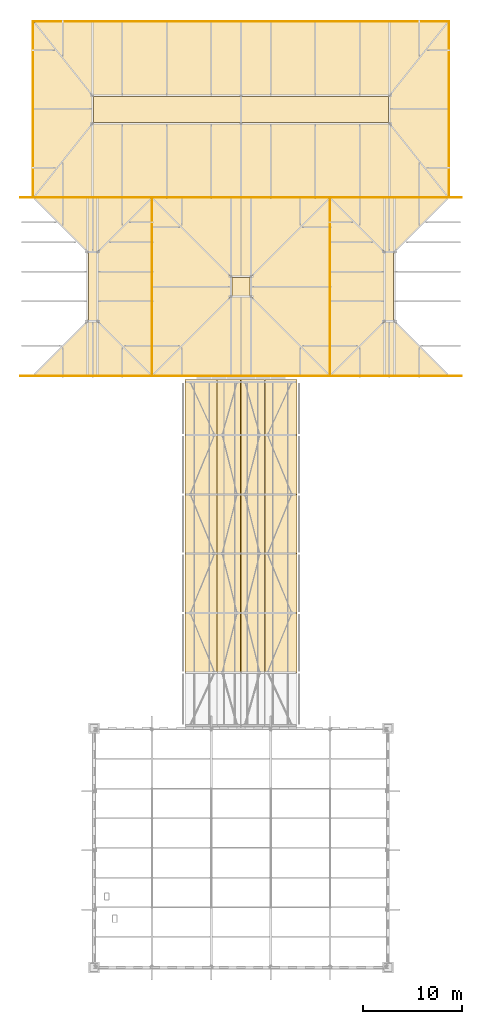
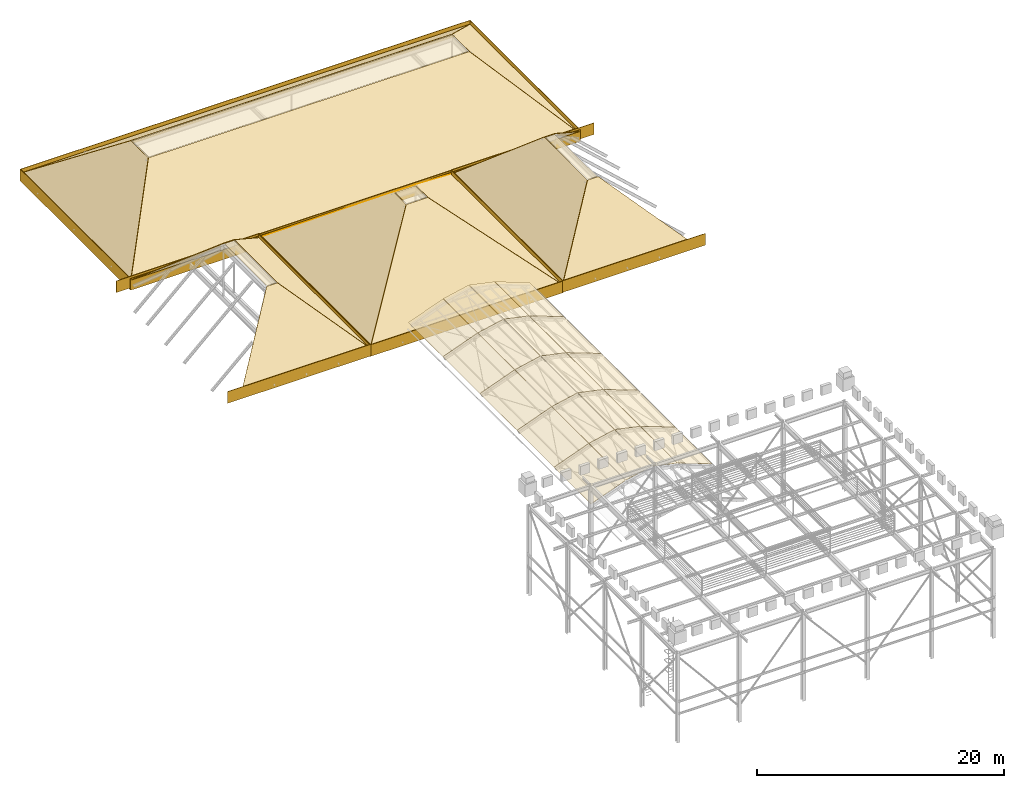
# One storey, part 57 of 57: 52 coverings.
"""IFC4 building model written with IfcOpenShell, lengths in metres."""

from ifc_helpers import new_model, si_unit, direction, frame, origin, place, context, subcontext, project, spatial, polyline, outline, extrude, material, layer, layer_set, type_object, element, save


model = new_model("IFC4")

# Units and contexts
model_context = context("Model", 3, precision=1e-05, world=origin(), true_north=direction((0.0, 1.0)))
body_context = subcontext(model_context, "Body", "Model", "MODEL_VIEW")
ifc_project = project(units=[si_unit("LENGTHUNIT", "METRE"), si_unit("AREAUNIT", "SQUARE_METRE"), si_unit("VOLUMEUNIT", "CUBIC_METRE"), si_unit("PLANEANGLEUNIT", "RADIAN"), si_unit("MASSUNIT", "GRAM", prefix="KILO")], contexts=[model_context])

# Site, building, storey
site_placement = place(None, origin())
site = spatial("IfcSite", under=ifc_project, at=site_placement, CompositionType="ELEMENT")
building_placement = place(site_placement, origin())
building = spatial("IfcBuilding", under=site, at=building_placement, Name="Saffron Lane Theatres", CompositionType="ELEMENT")
storey_placement = place(building_placement, frame((0.0, 0.0, 28.0)))
storey = spatial("IfcBuildingStorey", under=building, at=storey_placement, Name="Upper Roof", CompositionType="ELEMENT", Elevation=28.0)

# Coverings
ifc_material_1 = material(Name="Zinc standing seam roofing", Category="metal")
ifc_layer_1 = layer(ifc_material_1, 0.0400390625)
ifc_layer_set_1 = layer_set([ifc_layer_1], Name="Zinc standing seam roofing")
covering_type_1 = type_object("IfcCoveringType", Name="ST-EAVES FASCIA", PredefinedType="CLADDING", material=ifc_layer_set_1)
covering_1_placement = place(storey_placement, frame((0.0, 0.0, -0.110595703125)))
element("IfcCovering", 1, at=covering_1_placement, inside=storey, type_object=covering_type_1, Name="BK1-F1", PredefinedType="CLADDING", context=body_context, shape_type="SweptSolid", body=[
    extrude(outline(polyline([(10.659912109375, 89.9599609375), (24.0400390625, 89.9599609375), (24.0400390625, 90.0), (10.659912109375, 90.0), (10.659912109375, 89.9599609375)])), origin(), (0.0, 0.0, 1.0), 1.14990234375),
])
covering_2_placement = place(storey_placement, frame((0.0, 0.0, -0.110595703125)))
element("IfcCovering", 2, at=covering_2_placement, inside=storey, type_object=covering_type_1, Name="BK1-F2", PredefinedType="CLADDING", context=body_context, shape_type="SweptSolid", body=[
    extrude(outline(polyline([(10.659912109375, 108.0), (24.0400390625, 108.0), (24.0400390625, 108.0400390625), (10.659912109375, 108.0400390625), (10.659912109375, 108.0)])), origin(), (0.0, 0.0, 1.0), 1.14990234375),
])
covering_3_placement = place(storey_placement, frame((0.0, 0.0, -0.110595703125)))
element("IfcCovering", 3, at=covering_3_placement, inside=storey, type_object=covering_type_1, Name="BK1-F4", PredefinedType="CLADDING", context=body_context, shape_type="SweptSolid", body=[
    extrude(outline(polyline([(24.0, 90.0), (24.0400390625, 90.0), (24.0400390625, 108.0), (24.0, 108.0), (24.0, 90.0)])), origin(), (0.0, 0.0, 1.0), 1.14990234375),
])
covering_4_placement = place(storey_placement, frame((0.0, 0.0, -0.1494140625)))
element("IfcCovering", 4, at=covering_4_placement, inside=storey, type_object=covering_type_1, Name="BK2-F1", PredefinedType="CLADDING", context=body_context, shape_type="SweptSolid", body=[
    extrude(outline(polyline([(23.9599609375, 89.9599609375), (42.0400390625, 89.9599609375), (42.0400390625, 90.0), (23.9599609375, 90.0), (23.9599609375, 89.9599609375)])), origin(), (0.0, 0.0, 1.0), 1.150146484375),
])
covering_5_placement = place(storey_placement, frame((0.0, 0.0, -0.1494140625)))
element("IfcCovering", 5, at=covering_5_placement, inside=storey, type_object=covering_type_1, Name="BK2-F2", PredefinedType="CLADDING", context=body_context, shape_type="SweptSolid", body=[
    extrude(outline(polyline([(23.9599609375, 108.0), (42.0400390625, 108.0), (42.0400390625, 108.0400390625), (23.9599609375, 108.0400390625), (23.9599609375, 108.0)])), origin(), (0.0, 0.0, 1.0), 1.150146484375),
])
covering_6_placement = place(storey_placement, frame((0.0, 0.0, -0.1494140625)))
element("IfcCovering", 6, at=covering_6_placement, inside=storey, type_object=covering_type_1, Name="BK2-F3", PredefinedType="CLADDING", context=body_context, shape_type="SweptSolid", body=[
    extrude(outline(polyline([(23.9599609375, 90.0), (24.0, 90.0), (24.0, 108.0), (23.9599609375, 108.0), (23.9599609375, 90.0)])), origin(), (0.0, 0.0, 1.0), 1.150146484375),
])
covering_7_placement = place(storey_placement, frame((0.0, 0.0, -0.1494140625)))
element("IfcCovering", 7, at=covering_7_placement, inside=storey, type_object=covering_type_1, Name="BK2-F4", PredefinedType="CLADDING", context=body_context, shape_type="SweptSolid", body=[
    extrude(outline(polyline([(42.0, 90.0), (42.0400390625, 90.0), (42.0400390625, 108.0), (42.0, 108.0), (42.0, 90.0)])), origin(), (0.0, 0.0, 1.0), 1.150146484375),
])
covering_8_placement = place(storey_placement, frame((0.0, 0.0, -0.110595703125)))
element("IfcCovering", 8, at=covering_8_placement, inside=storey, type_object=covering_type_1, Name="BK3-F1", PredefinedType="CLADDING", context=body_context, shape_type="SweptSolid", body=[
    extrude(outline(polyline([(41.9599609375, 89.9599609375), (55.340087890625, 89.9599609375), (55.340087890625, 90.0), (41.9599609375, 90.0), (41.9599609375, 89.9599609375)])), origin(), (0.0, 0.0, 1.0), 1.14990234375),
])
covering_9_placement = place(storey_placement, frame((0.0, 0.0, -0.110595703125)))
element("IfcCovering", 9, at=covering_9_placement, inside=storey, type_object=covering_type_1, Name="BK3-F2", PredefinedType="CLADDING", context=body_context, shape_type="SweptSolid", body=[
    extrude(outline(polyline([(41.9599609375, 108.0), (55.340087890625, 108.0), (55.340087890625, 108.0400390625), (41.9599609375, 108.0400390625), (41.9599609375, 108.0)])), origin(), (0.0, 0.0, 1.0), 1.14990234375),
])
covering_10_placement = place(storey_placement, frame((0.0, 0.0, -0.110595703125)))
element("IfcCovering", 10, at=covering_10_placement, inside=storey, type_object=covering_type_1, Name="BK3-F3", PredefinedType="CLADDING", context=body_context, shape_type="SweptSolid", body=[
    extrude(outline(polyline([(41.9599609375, 90.0), (42.0, 90.0), (42.0, 108.0), (41.9599609375, 108.0), (41.9599609375, 90.0)])), origin(), (0.0, 0.0, 1.0), 1.14990234375),
])
covering_11_placement = place(storey_placement, frame((0.0, 0.0, -0.30908203125)))
element("IfcCovering", 11, at=covering_11_placement, inside=storey, type_object=covering_type_1, Name="BK4-F1", PredefinedType="CLADDING", context=body_context, shape_type="SweptSolid", body=[
    extrude(outline(polyline([(11.9599609375, 107.9599609375), (54.0400390625, 107.9599609375), (54.0400390625, 108.0), (11.9599609375, 108.0), (11.9599609375, 107.9599609375)])), origin(), (0.0, 0.0, 1.0), 1.150146484375),
])
covering_12_placement = place(storey_placement, frame((0.0, 0.0, -0.30908203125)))
element("IfcCovering", 12, at=covering_12_placement, inside=storey, type_object=covering_type_1, Name="BK4-F2", PredefinedType="CLADDING", context=body_context, shape_type="SweptSolid", body=[
    extrude(outline(polyline([(11.9599609375, 125.800048828125), (54.0400390625, 125.800048828125), (54.0400390625, 125.840087890625), (11.9599609375, 125.840087890625), (11.9599609375, 125.800048828125)])), origin(), (0.0, 0.0, 1.0), 1.150146484375),
])
covering_13_placement = place(storey_placement, frame((0.0, 0.0, -0.30908203125)))
element("IfcCovering", 13, at=covering_13_placement, inside=storey, type_object=covering_type_1, Name="BK4-F3", PredefinedType="CLADDING", context=body_context, shape_type="SweptSolid", body=[
    extrude(outline(polyline([(11.9599609375, 108.0), (12.0, 108.0), (12.0, 125.800048828125), (11.9599609375, 125.800048828125), (11.9599609375, 108.0)])), origin(), (0.0, 0.0, 1.0), 1.150146484375),
])
covering_14_placement = place(storey_placement, frame((0.0, 0.0, -0.30908203125)))
element("IfcCovering", 14, at=covering_14_placement, inside=storey, type_object=covering_type_1, Name="BK4-F4", PredefinedType="CLADDING", context=body_context, shape_type="SweptSolid", body=[
    extrude(outline(polyline([(54.0, 108.0), (54.0400390625, 108.0), (54.0400390625, 125.800048828125), (54.0, 125.800048828125), (54.0, 108.0)])), origin(), (0.0, 0.0, 1.0), 1.150146484375),
])
ifc_material_2 = material(Name="Zinc standing seam roofing", Category="metal")
ifc_layer_2 = layer(ifc_material_2, 0.02001953125)
ifc_layer_set_2 = layer_set([ifc_layer_2], Name="Zinc standing seam roofing")
covering_type_2 = type_object("IfcCoveringType", Name="ST-ZINC ROOFING", PredefinedType="ROOFING", material=ifc_layer_set_2)
covering_15_placement = place(storey_placement, frame((27.338623046875, 60.0, 2.2763671875), z_axis=(-0.349669981359, 0.0, 0.936872939163), x_axis=(0.936872939163, 0.0, 0.349669981359)))
element("IfcCovering", 15, at=covering_15_placement, inside=storey, type_object=covering_type_2, Name="VZ2C", PredefinedType="ROOFING", context=body_context, shape_type="SweptSolid", body=[
    extrude(outline(polyline([(0.0, 0.0), (3.4616904031793467, 0.0), (3.4616904031793467, 6.0), (0.0, 6.0), (0.0, 0.0)])), origin(), (0.0, 0.0, -1.0), 0.02001953125),
])
for number, where, z_axis, x_axis, name in (
    (16, (30.5986328125, 60.0, 3.49169921875), (-0.209467339738, 0.0, 0.977815643965), (0.977815643965, 0.0, 0.209467339738), "VZ2D"),
    (17, (33.025146484375, 60.0, 4.000732421875), (0.209467339738, 0.0, 0.977815643965), (0.977815643965, 0.0, -0.209467339738), "VZ2E"),
):
    element("IfcCovering", number, at=place(storey_placement, frame(where, z_axis=z_axis, x_axis=x_axis)), inside=storey, type_object=covering_type_2, Name=name, PredefinedType="ROOFING", context=body_context, shape_type="SweptSolid", body=[
        extrude(outline(polyline([(0.0, 0.0), (2.4301316079265267, 0.0), (2.4301316079265267, 6.0), (0.0, 6.0), (0.0, 0.0)])), origin(), (0.0, 0.0, -1.0), 0.02001953125),
    ])
for number, where, z_axis, x_axis, name in (
    (18, (35.418212890625, 60.0, 3.48681640625), (0.349669981359, 0.0, 0.936872939163), (0.936872939163, 0.0, -0.349669981359), "VZ2F"),
    (19, (27.338623046875, 66.0, 2.2763671875), (-0.349669981359, 0.0, 0.936872939163), (0.936872939163, 0.0, 0.349669981359), "VZ3C"),
):
    element("IfcCovering", number, at=place(storey_placement, frame(where, z_axis=z_axis, x_axis=x_axis)), inside=storey, type_object=covering_type_2, Name=name, PredefinedType="ROOFING", context=body_context, shape_type="SweptSolid", body=[
        extrude(outline(polyline([(0.0, 0.0), (3.4616904031793467, 0.0), (3.4616904031793467, 6.0), (0.0, 6.0), (0.0, 0.0)])), origin(), (0.0, 0.0, -1.0), 0.02001953125),
    ])
for number, where, z_axis, x_axis, name in (
    (20, (30.5986328125, 66.0, 3.49169921875), (-0.209467339738, 0.0, 0.977815643965), (0.977815643965, 0.0, 0.209467339738), "VZ3D"),
    (21, (33.025146484375, 66.0, 4.000732421875), (0.209467339738, 0.0, 0.977815643965), (0.977815643965, 0.0, -0.209467339738), "VZ3E"),
):
    element("IfcCovering", number, at=place(storey_placement, frame(where, z_axis=z_axis, x_axis=x_axis)), inside=storey, type_object=covering_type_2, Name=name, PredefinedType="ROOFING", context=body_context, shape_type="SweptSolid", body=[
        extrude(outline(polyline([(0.0, 0.0), (2.4301316079265267, 0.0), (2.4301316079265267, 6.0), (0.0, 6.0), (0.0, 0.0)])), origin(), (0.0, 0.0, -1.0), 0.02001953125),
    ])
for number, where, z_axis, x_axis, name in (
    (22, (35.418212890625, 66.0, 3.48681640625), (0.349669981359, 0.0, 0.936872939163), (0.936872939163, 0.0, -0.349669981359), "VZ3F"),
    (23, (27.338623046875, 72.0, 2.2763671875), (-0.349669981359, 0.0, 0.936872939163), (0.936872939163, 0.0, 0.349669981359), "VZ4C"),
):
    element("IfcCovering", number, at=place(storey_placement, frame(where, z_axis=z_axis, x_axis=x_axis)), inside=storey, type_object=covering_type_2, Name=name, PredefinedType="ROOFING", context=body_context, shape_type="SweptSolid", body=[
        extrude(outline(polyline([(0.0, 0.0), (3.4616904031793467, 0.0), (3.4616904031793467, 6.0), (0.0, 6.0), (0.0, 0.0)])), origin(), (0.0, 0.0, -1.0), 0.02001953125),
    ])
for number, where, z_axis, x_axis, name in (
    (24, (30.5986328125, 72.0, 3.49169921875), (-0.209467339738, 0.0, 0.977815643965), (0.977815643965, 0.0, 0.209467339738), "VZ4D"),
    (25, (33.025146484375, 72.0, 4.000732421875), (0.209467339738, 0.0, 0.977815643965), (0.977815643965, 0.0, -0.209467339738), "VZ4E"),
):
    element("IfcCovering", number, at=place(storey_placement, frame(where, z_axis=z_axis, x_axis=x_axis)), inside=storey, type_object=covering_type_2, Name=name, PredefinedType="ROOFING", context=body_context, shape_type="SweptSolid", body=[
        extrude(outline(polyline([(0.0, 0.0), (2.4301316079265267, 0.0), (2.4301316079265267, 6.0), (0.0, 6.0), (0.0, 0.0)])), origin(), (0.0, 0.0, -1.0), 0.02001953125),
    ])
for number, where, z_axis, x_axis, name in (
    (26, (35.418212890625, 72.0, 3.48681640625), (0.349669981359, 0.0, 0.936872939163), (0.936872939163, 0.0, -0.349669981359), "VZ4F"),
    (27, (27.338623046875, 78.0, 2.2763671875), (-0.349669981359, 0.0, 0.936872939163), (0.936872939163, 0.0, 0.349669981359), "VZ5C"),
):
    element("IfcCovering", number, at=place(storey_placement, frame(where, z_axis=z_axis, x_axis=x_axis)), inside=storey, type_object=covering_type_2, Name=name, PredefinedType="ROOFING", context=body_context, shape_type="SweptSolid", body=[
        extrude(outline(polyline([(0.0, 0.0), (3.4616904031793467, 0.0), (3.4616904031793467, 6.0), (0.0, 6.0), (0.0, 0.0)])), origin(), (0.0, 0.0, -1.0), 0.02001953125),
    ])
for number, where, z_axis, x_axis, name in (
    (28, (30.5986328125, 78.0, 3.49169921875), (-0.209467339738, 0.0, 0.977815643965), (0.977815643965, 0.0, 0.209467339738), "VZ5D"),
    (29, (33.025146484375, 78.0, 4.000732421875), (0.209467339738, 0.0, 0.977815643965), (0.977815643965, 0.0, -0.209467339738), "VZ5E"),
):
    element("IfcCovering", number, at=place(storey_placement, frame(where, z_axis=z_axis, x_axis=x_axis)), inside=storey, type_object=covering_type_2, Name=name, PredefinedType="ROOFING", context=body_context, shape_type="SweptSolid", body=[
        extrude(outline(polyline([(0.0, 0.0), (2.4301316079265267, 0.0), (2.4301316079265267, 6.0), (0.0, 6.0), (0.0, 0.0)])), origin(), (0.0, 0.0, -1.0), 0.02001953125),
    ])
covering_16_placement = place(storey_placement, frame((35.418212890625, 78.0, 3.48681640625), z_axis=(0.349669981359, 0.0, 0.936872939163), x_axis=(0.936872939163, 0.0, -0.349669981359)))
element("IfcCovering", 30, at=covering_16_placement, inside=storey, type_object=covering_type_2, Name="VZ5F", PredefinedType="ROOFING", context=body_context, shape_type="SweptSolid", body=[
    extrude(outline(polyline([(0.0, 0.0), (3.4616904031793467, 0.0), (3.4616904031793467, 6.0), (0.0, 6.0), (0.0, 0.0)])), origin(), (0.0, 0.0, -1.0), 0.02001953125),
])
covering_17_placement = place(storey_placement, frame((27.338623046875, 84.0, 2.2763671875), z_axis=(-0.349669981359, 0.0, 0.936872939163), x_axis=(0.936872939163, 0.0, 0.349669981359)))
element("IfcCovering", 31, at=covering_17_placement, inside=storey, type_object=covering_type_2, Name="VZ6C", PredefinedType="ROOFING", context=body_context, shape_type="SweptSolid", body=[
    extrude(outline(polyline([(0.0, 0.0), (3.4616904031793467, 0.0), (3.4616904031793467, 5.60009765625), (0.0, 5.60009765625), (0.0, 0.0)])), origin(), (0.0, 0.0, -1.0), 0.02001953125),
])
for number, where, z_axis, x_axis, name in (
    (32, (30.5986328125, 84.0, 3.49169921875), (-0.209467339738, 0.0, 0.977815643965), (0.977815643965, 0.0, 0.209467339738), "VZ6D"),
    (33, (33.025146484375, 84.0, 4.000732421875), (0.209467339738, 0.0, 0.977815643965), (0.977815643965, 0.0, -0.209467339738), "VZ6E"),
):
    element("IfcCovering", number, at=place(storey_placement, frame(where, z_axis=z_axis, x_axis=x_axis)), inside=storey, type_object=covering_type_2, Name=name, PredefinedType="ROOFING", context=body_context, shape_type="SweptSolid", body=[
        extrude(outline(polyline([(0.0, 0.0), (2.4301316079265267, 0.0), (2.4301316079265267, 5.600097656250001), (0.0, 5.600097656250001), (0.0, 0.0)])), origin(), (0.0, 0.0, -1.0), 0.02001953125),
    ])
covering_18_placement = place(storey_placement, frame((35.418212890625, 84.0, 3.48681640625), z_axis=(0.349669981359, 0.0, 0.936872939163), x_axis=(0.936872939163, 0.0, -0.349669981359)))
element("IfcCovering", 34, at=covering_18_placement, inside=storey, type_object=covering_type_2, Name="VZ6F", PredefinedType="ROOFING", context=body_context, shape_type="SweptSolid", body=[
    extrude(outline(polyline([(0.0, 0.0), (3.4616904031793467, 0.0), (3.4616904031793467, 5.60009765625), (0.0, 5.60009765625), (0.0, 0.0)])), origin(), (0.0, 0.0, -1.0), 0.02001953125),
])
covering_19_placement = place(storey_placement, frame((12.0, 89.986572265625, 0.654052734375), z_axis=(0.0, -0.677096159028, 0.735894551842), x_axis=(1.0, 0.0, 0.0)))
element("IfcCovering", 35, at=covering_19_placement, inside=storey, type_object=covering_type_2, Name="BK1-Z1", PredefinedType="ROOFING", context=body_context, shape_type="SweptSolid", body=[
    extrude(outline(polyline([(0.0, 0.0), (12.0, 0.0), (6.5, 7.473896886770131), (5.5, 7.473896886770131), (0.0, 0.0)])), origin(), (0.0, 0.0, -1.0), 0.02001953125),
])
covering_20_placement = place(storey_placement, frame((12.0, 108.013427734375, 0.654052734375), z_axis=(0.0, 0.677096159028, 0.735894551842), x_axis=(1.0, 0.0, 0.0)))
element("IfcCovering", 36, at=covering_20_placement, inside=storey, type_object=covering_type_2, Name="BK1-Z2", PredefinedType="ROOFING", context=body_context, shape_type="SweptSolid", body=[
    extrude(outline(polyline([(0.0, 0.0), (12.0, 0.0), (6.5, -7.473896886770131), (5.5, -7.473896886770131), (0.0, 0.0)])), origin(), (0.0, 0.0, -1.0), 0.02001953125),
])
covering_21_placement = place(storey_placement, frame((24.013427734375, 90.0, 0.654052734375), z_axis=(0.677096159028, 0.0, 0.735894551842), x_axis=(0.0, 1.0, 0.0)))
element("IfcCovering", 37, at=covering_21_placement, inside=storey, type_object=covering_type_2, Name="BK1-Z4", PredefinedType="ROOFING", context=body_context, shape_type="SweptSolid", body=[
    extrude(outline(polyline([(0.0, 0.0), (18.0, 0.0), (12.5, 7.473896886770131), (5.5, 7.473896886770131), (0.0, 0.0)])), origin(), (0.0, 0.0, -1.0), 0.02001953125),
])
covering_22_placement = place(storey_placement, frame((0.0, 0.0, 5.679931640625)))
element("IfcCovering", 38, at=covering_22_placement, inside=storey, type_object=covering_type_2, Name="BK1-Z5", PredefinedType="ROOFING", context=body_context, shape_type="SweptSolid", body=[
    extrude(outline(polyline([(17.570068359375, 95.570068359375), (18.429931640625, 95.570068359375), (18.429931640625, 102.429931640625), (17.570068359375, 102.429931640625), (17.570068359375, 95.570068359375)])), origin(), (0.0, 0.0, 1.0), 0.02001953125),
])
covering_23_placement = place(storey_placement, frame((24.0, 89.9873046875, 0.6162109375), z_axis=(0.0, -0.636332525666, 0.771414879801), x_axis=(1.0, 0.0, 0.0)))
element("IfcCovering", 39, at=covering_23_placement, inside=storey, type_object=covering_type_2, Name="BK2-Z1", PredefinedType="ROOFING", context=body_context, shape_type="SweptSolid", body=[
    extrude(outline(polyline([(0.0, 0.0), (18.0, 0.0), (10.0, 10.370554431175616), (8.0, 10.370554431175616), (0.0, 0.0)])), origin(), (0.0, 0.0, -1.0), 0.02001953125),
])
for number, where, z_axis, x_axis, name in (
    (40, (24.0, 108.0126953125, 0.6162109375), (0.0, 0.636332525666, 0.771414879801), (1.0, 0.0, 0.0), "BK2-Z2"),
    (41, (23.9873046875, 90.0, 0.6162109375), (-0.636332525666, 0.0, 0.771414879801), (0.0, 1.0, 0.0), "BK2-Z3"),
):
    element("IfcCovering", number, at=place(storey_placement, frame(where, z_axis=z_axis, x_axis=x_axis)), inside=storey, type_object=covering_type_2, Name=name, PredefinedType="ROOFING", context=body_context, shape_type="SweptSolid", body=[
        extrude(outline(polyline([(0.0, 0.0), (18.0, 0.0), (10.0, -10.370554431175616), (8.0, -10.370554431175616), (0.0, 0.0)])), origin(), (0.0, 0.0, -1.0), 0.02001953125),
    ])
covering_24_placement = place(storey_placement, frame((42.0126953125, 90.0, 0.6162109375), z_axis=(0.636332525666, 0.0, 0.771414879801), x_axis=(0.0, 1.0, 0.0)))
element("IfcCovering", 42, at=covering_24_placement, inside=storey, type_object=covering_type_2, Name="BK2-Z4", PredefinedType="ROOFING", context=body_context, shape_type="SweptSolid", body=[
    extrude(outline(polyline([(0.0, 0.0), (18.0, 0.0), (10.0, 10.370554431175616), (8.0, 10.370554431175616), (0.0, 0.0)])), origin(), (0.0, 0.0, -1.0), 0.02001953125),
])
covering_25_placement = place(storey_placement, frame((0.0, 0.0, 7.179931640625)))
element("IfcCovering", 43, at=covering_25_placement, inside=storey, type_object=covering_type_2, Name="BK2-Z5", PredefinedType="ROOFING", context=body_context, shape_type="SweptSolid", body=[
    extrude(outline(polyline([(32.070068359375, 98.070068359375), (33.929931640625, 98.070068359375), (33.929931640625, 99.929931640625), (32.070068359375, 99.929931640625), (32.070068359375, 98.070068359375)])), origin(), (0.0, 0.0, 1.0), 0.02001953125),
])
covering_26_placement = place(storey_placement, frame((42.0, 89.986572265625, 0.654052734375), z_axis=(0.0, -0.677096159028, 0.735894551842), x_axis=(1.0, 0.0, 0.0)))
element("IfcCovering", 44, at=covering_26_placement, inside=storey, type_object=covering_type_2, Name="BK3-Z1", PredefinedType="ROOFING", context=body_context, shape_type="SweptSolid", body=[
    extrude(outline(polyline([(0.0, 0.0), (12.0, 0.0), (6.5, 7.473896886770131), (5.5, 7.473896886770131), (0.0, 0.0)])), origin(), (0.0, 0.0, -1.0), 0.02001953125),
])
covering_27_placement = place(storey_placement, frame((42.0, 108.013427734375, 0.654052734375), z_axis=(0.0, 0.677096159028, 0.735894551842), x_axis=(1.0, 0.0, 0.0)))
element("IfcCovering", 45, at=covering_27_placement, inside=storey, type_object=covering_type_2, Name="BK3-Z2", PredefinedType="ROOFING", context=body_context, shape_type="SweptSolid", body=[
    extrude(outline(polyline([(0.0, 0.0), (12.0, 0.0), (6.5, -7.473896886770131), (5.5, -7.473896886770131), (0.0, 0.0)])), origin(), (0.0, 0.0, -1.0), 0.02001953125),
])
covering_28_placement = place(storey_placement, frame((41.986572265625, 90.0, 0.654052734375), z_axis=(-0.677096159028, 0.0, 0.735894551842), x_axis=(0.0, 1.0, 0.0)))
element("IfcCovering", 46, at=covering_28_placement, inside=storey, type_object=covering_type_2, Name="BK3-Z3", PredefinedType="ROOFING", context=body_context, shape_type="SweptSolid", body=[
    extrude(outline(polyline([(0.0, 0.0), (18.0, 0.0), (12.5, -7.473896886770131), (5.5, -7.473896886770131), (0.0, 0.0)])), origin(), (0.0, 0.0, -1.0), 0.02001953125),
])
covering_29_placement = place(storey_placement, frame((0.0, 0.0, 5.679931640625)))
element("IfcCovering", 47, at=covering_29_placement, inside=storey, type_object=covering_type_2, Name="BK3-Z5", PredefinedType="ROOFING", context=body_context, shape_type="SweptSolid", body=[
    extrude(outline(polyline([(47.570068359375, 95.570068359375), (48.429931640625, 95.570068359375), (48.429931640625, 102.429931640625), (47.570068359375, 102.429931640625), (47.570068359375, 95.570068359375)])), origin(), (0.0, 0.0, 1.0), 0.02001953125),
])
covering_30_placement = place(storey_placement, frame((12.0, 107.988037109375, 0.45703125), z_axis=(0.0, -0.602309131563, 0.798262932896), x_axis=(1.0, 0.0, 0.0)))
element("IfcCovering", 48, at=covering_30_placement, inside=storey, type_object=covering_type_2, Name="BK4-Z1", PredefinedType="ROOFING", context=body_context, shape_type="SweptSolid", body=[
    extrude(outline(polyline([(0.0, 0.0), (42.0, 0.0), (36.0, 9.395400551529745), (6.0, 9.395400551529745), (0.0, 0.0)])), origin(), (0.0, 0.0, -1.0), 0.02001953125),
])
covering_31_placement = place(storey_placement, frame((12.0, 125.81201171875, 0.45703125), z_axis=(0.0, 0.602309131563, 0.798262932896), x_axis=(1.0, 0.0, 0.0)))
element("IfcCovering", 49, at=covering_31_placement, inside=storey, type_object=covering_type_2, Name="BK4-Z2", PredefinedType="ROOFING", context=body_context, shape_type="SweptSolid", body=[
    extrude(outline(polyline([(0.0, 0.0), (42.0, 0.0), (36.0, -9.395400551529745), (6.0, -9.395400551529745), (0.0, 0.0)])), origin(), (0.0, 0.0, -1.0), 0.02001953125),
])
covering_32_placement = place(storey_placement, frame((11.986328125, 108.0, 0.45556640625), z_axis=(-0.686127926428, 0.0, 0.727480905987), x_axis=(0.0, 1.0, 0.0)))
element("IfcCovering", 50, at=covering_32_placement, inside=storey, type_object=covering_type_2, Name="BK4-Z3", PredefinedType="ROOFING", context=body_context, shape_type="SweptSolid", body=[
    extrude(outline(polyline([(0.0, 0.0), (17.800048828125, 0.0), (10.300048828125, -8.247639148488823), (7.5, -8.247639148488823), (0.0, 0.0)])), origin(), (0.0, 0.0, -1.0), 0.02001953125),
])
covering_33_placement = place(storey_placement, frame((54.013671875, 108.0, 0.45556640625), z_axis=(0.686127926428, 0.0, 0.727480905987), x_axis=(0.0, 1.0, 0.0)))
element("IfcCovering", 51, at=covering_33_placement, inside=storey, type_object=covering_type_2, Name="BK4-Z4", PredefinedType="ROOFING", context=body_context, shape_type="SweptSolid", body=[
    extrude(outline(polyline([(0.0, 0.0), (17.800048828125, 0.0), (10.300048828125, 8.247639148488823), (7.5, 8.247639148488823), (0.0, 0.0)])), origin(), (0.0, 0.0, -1.0), 0.02001953125),
])
covering_34_placement = place(storey_placement, frame((0.0, 0.0, 6.080078125)))
element("IfcCovering", 52, at=covering_34_placement, inside=storey, type_object=covering_type_2, Name="BK4-Z5", PredefinedType="ROOFING", context=body_context, shape_type="SweptSolid", body=[
    extrude(outline(polyline([(18.070068359375, 115.570068359375), (47.929931640625, 115.570068359375), (47.929931640625, 118.22998046875), (18.070068359375, 118.22998046875), (18.070068359375, 115.570068359375)])), origin(), (0.0, 0.0, 1.0), 0.02001953125),
])

save(model, "model.ifc")
